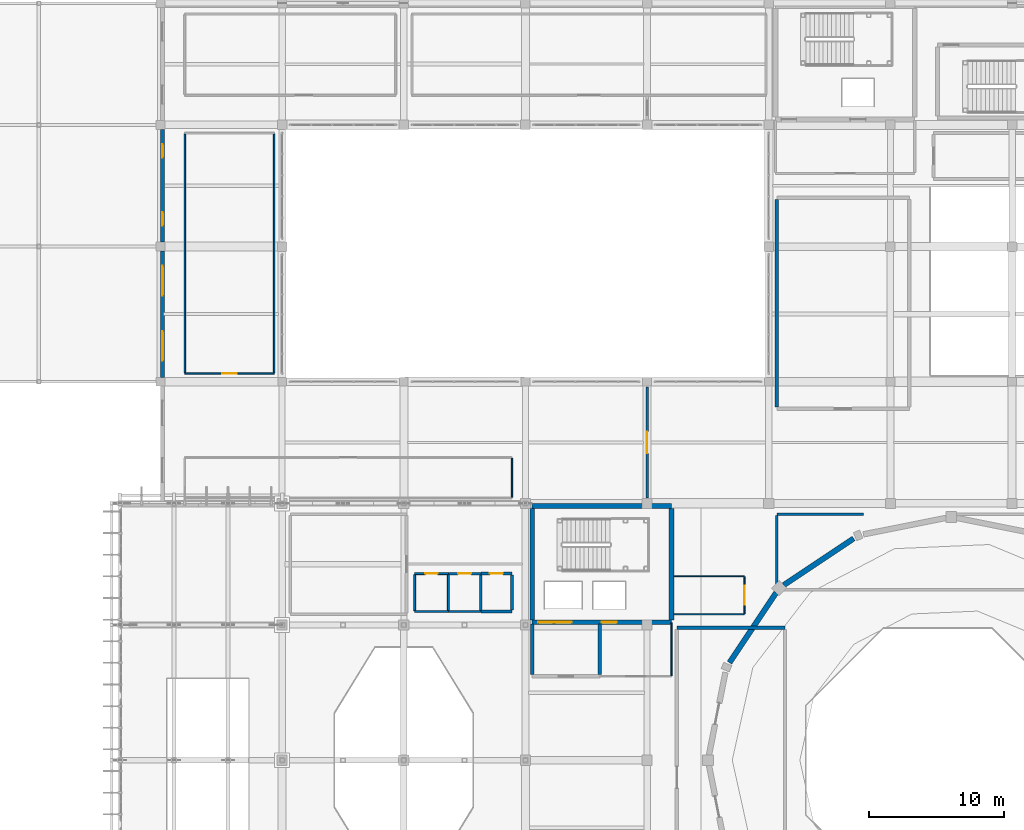
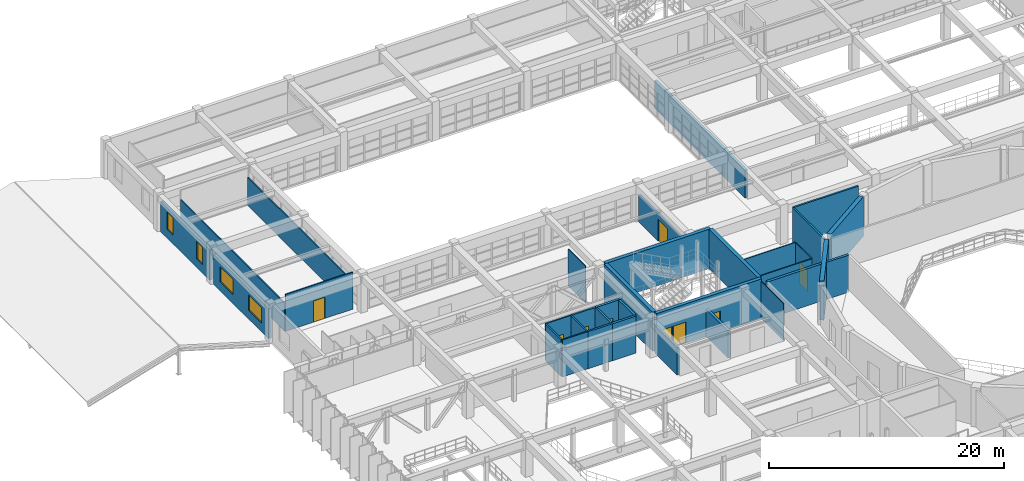
# One storey, part 113 of 130: 33 walls, 9 doors, 4 windows, 13 openings.
"""IFC4 building model written with IfcOpenShell, lengths in metres."""

from ifc_helpers import new_model, si_unit, direction, frame, frame_2d, origin, place, context, subcontext, project, spatial, rectangle, extrude, material, layer, layer_set, type_object, element, fill, save


model = new_model("IFC4")

# Units and contexts
model_context = context("Model", 3, precision=1e-05, world=origin(), true_north=direction((0.0, 1.0)))
body_context = subcontext(model_context, "Body", "Model", "MODEL_VIEW")
ifc_project = project(units=[si_unit("LENGTHUNIT", "METRE"), si_unit("AREAUNIT", "SQUARE_METRE"), si_unit("VOLUMEUNIT", "CUBIC_METRE"), si_unit("PLANEANGLEUNIT", "RADIAN"), si_unit("MASSUNIT", "GRAM", prefix="KILO")], contexts=[model_context])

# Site, building, storey
site_placement = place(None, origin())
site = spatial("IfcSite", under=ifc_project, at=site_placement, CompositionType="ELEMENT")
building_placement = place(site_placement, origin())
building = spatial("IfcBuilding", under=site, at=building_placement, Name="Miravela Opera House", CompositionType="ELEMENT")
storey_placement = place(building_placement, frame((0.0, 0.0, 9.52001953125)))
storey = spatial("IfcBuildingStorey", under=building, at=storey_placement, Name="L02", CompositionType="ELEMENT", Elevation=9.52001953125)

# Wall, openings, windows
ifc_material_1 = material(Name="Insulated cream lime-stuccoed masonry", Category="masonry")
ifc_layer_1 = layer(ifc_material_1, 0.2900390625)
ifc_layer_set_1 = layer_set([ifc_layer_1])
wall_type_1 = type_object("IfcWallType", Name="ARC-EW-STUCCO-290", PredefinedType="STANDARD", material=ifc_layer_set_1)
wall_1_placement = place(storey_placement, frame((18.14990234375, 84.324951171875, 0.0), z_axis=(0.0, 0.0, 1.0), x_axis=(0.0, 1.0, 0.0)))
wall_1 = element("IfcWall", 1, at=wall_1_placement, inside=storey, type_object=wall_type_1, Name="Spanish Colonial Stucco Facade Wall L02-027", PredefinedType="STANDARD", context=body_context, shape_type="SweptSolid", body=[
    extrude(rectangle(XDim=9.35009765625, YDim=0.2900390625, at=frame_2d((4.675048828125, 0.0))), origin(), (0.0, 0.0, 1.0), 3.119873046875),
])
opening_1_placement = place(wall_1_placement, frame((1.22509765625, 0.0, 0.89990234375)))
opening_1 = element("IfcOpeningElement", 2, at=opening_1_placement, cuts=wall_1, Name="Opening W-14", PredefinedType="OPENING", context=body_context, shape_type="SweptSolid", body=[
    extrude(rectangle(XDim=2.199951171875, YDim=1.60009765625, at=frame_2d((1.10009765625, 0.800048828125))), frame((0.0, 0.155029296875, 0.0), z_axis=(0.0, -1.0, 0.0), x_axis=(1.0, 0.0, 0.0)), (0.0, 0.0, 1.0), 0.31005859375),
])
opening_2_placement = place(wall_1_placement, frame((6.050048828125, 0.0, 0.89990234375)))
opening_2 = element("IfcOpeningElement", 3, at=opening_2_placement, cuts=wall_1, Name="Opening W-14", PredefinedType="OPENING", context=body_context, shape_type="SweptSolid", body=[
    extrude(rectangle(XDim=2.199951171875, YDim=1.60009765625, at=frame_2d((1.10009765625, 0.800048828125))), frame((0.0, 0.155029296875, 0.0), z_axis=(0.0, -1.0, 0.0), x_axis=(1.0, 0.0, 0.0)), (0.0, 0.0, 1.0), 0.31005859375),
])
ifc_material_2 = material(Name="Bronze-anodised aluminium and acoustic low-E glass", Category="aluminium")
window_type_1 = type_object("IfcWindowType", Name="ARC-WIN-14", PartitioningType="DOUBLE_PANEL_VERTICAL", PredefinedType="WINDOW", material=ifc_material_2)
window_1_placement = place(opening_1_placement, origin())
window_1 = element("IfcWindow", 4, at=window_1_placement, inside=storey, type_object=window_type_1, Name="Window W-14 #077", OverallHeight=1.60009765625, OverallWidth=2.199951171875, PartitioningType="DOUBLE_PANEL_VERTICAL", PredefinedType="WINDOW", context=body_context, shape_type="SweptSolid", body=[
    extrude(rectangle(XDim=2.199951171875, YDim=1.60009765625, at=frame_2d((1.10009765625, 0.800048828125))), frame((0.0, 0.030029296875, 0.0), z_axis=(0.0, -1.0, 0.0), x_axis=(1.0, 0.0, 0.0)), (0.0, 0.0, 1.0), 0.06005859375),
])
fill(opening_1, window_1)
window_2_placement = place(opening_2_placement, origin())
window_2 = element("IfcWindow", 5, at=window_2_placement, inside=storey, type_object=window_type_1, Name="Window W-14 #078", OverallHeight=1.60009765625, OverallWidth=2.199951171875, PartitioningType="DOUBLE_PANEL_VERTICAL", PredefinedType="WINDOW", context=body_context, shape_type="SweptSolid", body=[
    extrude(rectangle(XDim=2.199951171875, YDim=1.60009765625, at=frame_2d((1.10009765625, 0.800048828125))), frame((0.0, 0.030029296875, 0.0), z_axis=(0.0, -1.0, 0.0), x_axis=(1.0, 0.0, 0.0)), (0.0, 0.0, 1.0), 0.06005859375),
])
fill(opening_2, window_2)

wall_2_placement = place(storey_placement, frame((18.14990234375, 94.324951171875, 0.0), z_axis=(0.0, 0.0, 1.0), x_axis=(0.0, 1.0, 0.0)))
wall_2 = element("IfcWall", 6, at=wall_2_placement, inside=storey, type_object=wall_type_1, Name="Spanish Colonial Stucco Facade Wall L02-028", PredefinedType="STANDARD", context=body_context, shape_type="SweptSolid", body=[
    extrude(rectangle(XDim=8.35009765625, YDim=0.2900390625, at=frame_2d((4.175048828125, 0.0))), origin(), (0.0, 0.0, 1.0), 3.139892578125),
])
opening_3_placement = place(wall_2_placement, frame((1.22509765625, 0.0, 0.89990234375)))
opening_3 = element("IfcOpeningElement", 7, at=opening_3_placement, cuts=wall_2, Name="Opening W-15", PredefinedType="OPENING", context=body_context, shape_type="SweptSolid", body=[
    extrude(rectangle(XDim=1.0, YDim=1.800048828125, at=frame_2d((0.5, 0.89990234375))), frame((0.0, 0.155029296875, 0.0), z_axis=(0.0, -1.0, 0.0), x_axis=(1.0, 0.0, 0.0)), (0.0, 0.0, 1.0), 0.31005859375),
])
opening_4_placement = place(wall_2_placement, frame((6.25, 0.0, 0.89990234375)))
opening_4 = element("IfcOpeningElement", 8, at=opening_4_placement, cuts=wall_2, Name="Opening W-15", PredefinedType="OPENING", context=body_context, shape_type="SweptSolid", body=[
    extrude(rectangle(XDim=1.0, YDim=1.800048828125, at=frame_2d((0.5, 0.89990234375))), frame((0.0, 0.155029296875, 0.0), z_axis=(0.0, -1.0, 0.0), x_axis=(1.0, 0.0, 0.0)), (0.0, 0.0, 1.0), 0.31005859375),
])
window_type_2 = type_object("IfcWindowType", Name="ARC-WIN-15", PartitioningType="SINGLE_PANEL", PredefinedType="WINDOW", material=ifc_material_2)
window_3_placement = place(opening_3_placement, origin())
window_3 = element("IfcWindow", 9, at=window_3_placement, inside=storey, type_object=window_type_2, Name="Window W-15 #079", OverallHeight=1.800048828125, OverallWidth=1.0, PartitioningType="SINGLE_PANEL", PredefinedType="WINDOW", context=body_context, shape_type="SweptSolid", body=[
    extrude(rectangle(XDim=1.0, YDim=1.800048828125, at=frame_2d((0.5, 0.89990234375))), frame((0.0, 0.030029296875, 0.0), z_axis=(0.0, -1.0, 0.0), x_axis=(1.0, 0.0, 0.0)), (0.0, 0.0, 1.0), 0.06005859375),
])
fill(opening_3, window_3)
window_4_placement = place(opening_4_placement, origin())
window_4 = element("IfcWindow", 10, at=window_4_placement, inside=storey, type_object=window_type_2, Name="Window W-15 #080", OverallHeight=1.800048828125, OverallWidth=1.0, PartitioningType="SINGLE_PANEL", PredefinedType="WINDOW", context=body_context, shape_type="SweptSolid", body=[
    extrude(rectangle(XDim=1.0, YDim=1.800048828125, at=frame_2d((0.5, 0.89990234375))), frame((0.0, 0.030029296875, 0.0), z_axis=(0.0, -1.0, 0.0), x_axis=(1.0, 0.0, 0.0)), (0.0, 0.0, 1.0), 0.06005859375),
])
fill(opening_4, window_4)

# Wall
ifc_material_3 = material(Name="Sanitary chase acoustic plumbing wall")
ifc_layer_2 = layer(ifc_material_3, 0.139892578125)
ifc_layer_set_2 = layer_set([ifc_layer_2])
wall_type_2 = type_object("IfcWallType", Name="ARC-PLW-150", PredefinedType="PLUMBINGWALL", material=ifc_layer_set_2)
wall_3_placement = place(storey_placement, frame((36.800048828125, 67.0, 0.0), z_axis=(0.0, 0.0, 1.0), x_axis=(1.0, 0.0, 0.0)))
element("IfcWall", 11, at=wall_3_placement, inside=storey, type_object=wall_type_2, Name="Accessible WC L02 Partition South", PredefinedType="PLUMBINGWALL", context=body_context, shape_type="SweptSolid", body=[
    extrude(rectangle(XDim=2.5, YDim=0.139892578125, at=frame_2d((1.25, 0.0))), origin(), (0.0, 0.0, 1.0), 3.840087890625),
])

# Wall, opening, door
wall_4_placement = place(storey_placement, frame((36.800048828125, 69.800048828125, 0.0), z_axis=(0.0, 0.0, 1.0), x_axis=(1.0, 0.0, 0.0)))
wall_4 = element("IfcWall", 12, at=wall_4_placement, inside=storey, type_object=wall_type_2, Name="Accessible WC L02 Partition North", PredefinedType="PLUMBINGWALL", context=body_context, shape_type="SweptSolid", body=[
    extrude(rectangle(XDim=2.5, YDim=0.139892578125, at=frame_2d((1.25, 0.0))), origin(), (0.0, 0.0, 1.0), 3.840087890625),
])
opening_5_placement = place(wall_4_placement, frame((0.77490234375, 0.0, 0.0)))
opening_5 = element("IfcOpeningElement", 13, at=opening_5_placement, cuts=wall_4, Name="Opening ID-01", PredefinedType="OPENING", context=body_context, shape_type="SweptSolid", body=[
    extrude(rectangle(XDim=0.949951171875, YDim=2.14990234375, at=frame_2d((0.47509765625, 1.074951171875))), frame((0.0, 0.079833984375, 0.0), z_axis=(0.0, -1.0, 0.0), x_axis=(1.0, 0.0, 0.0)), (0.0, 0.0, 1.0), 0.159912109375),
])
ifc_material_4 = material(Name="Solid mahogany acoustic room door")
door_type_1 = type_object("IfcDoorType", Name="ARC-DR-950X2150", OperationType="NOTDEFINED", PredefinedType="DOOR", material=ifc_material_4)
door_1_placement = place(opening_5_placement, origin())
door_1 = element("IfcDoor", 14, at=door_1_placement, inside=storey, type_object=door_type_1, Name="Accessible WC L02 Entry Door IDR-L02-0221", OperationType="SINGLE_SWING_LEFT", OverallHeight=2.14990234375, OverallWidth=0.949951171875, PredefinedType="DOOR", context=body_context, shape_type="SweptSolid", body=[
    extrude(rectangle(XDim=0.949951171875, YDim=2.14990234375, at=frame_2d((0.47509765625, 1.074951171875))), frame((0.0, 0.02490234375, 0.0), z_axis=(0.0, -1.0, 0.0), x_axis=(1.0, 0.0, 0.0)), (0.0, 0.0, 1.0), 0.050048828125),
])
fill(opening_5, door_1)

# Walls
for number, where, z_axis, x_axis, name in (
    (15, (36.800048828125, 67.070068359375, 0.0), (0.0, 0.0, 1.0), (0.0, 1.0, 0.0), "Accessible WC L02 Partition West"),
    (16, (39.300048828125, 67.070068359375, 0.0), (0.0, 0.0, 1.0), (0.0, 1.0, 0.0), "Accessible WC L02 Partition East"),
):
    element("IfcWall", number, at=place(storey_placement, frame(where, z_axis=z_axis, x_axis=x_axis)), inside=storey, type_object=wall_type_2, Name=name, PredefinedType="PLUMBINGWALL", context=body_context, shape_type="SweptSolid", body=[
        extrude(rectangle(XDim=2.659912109375, YDim=0.139892578125, at=frame_2d((1.330078125, 0.0))), origin(), (0.0, 0.0, 1.0), 3.840087890625),
    ])
ifc_material_5 = material(Name="Public washroom wet-service chase wall")
ifc_layer_3 = layer(ifc_material_5, 0.179931640625)
ifc_layer_set_3 = layer_set([ifc_layer_3])
wall_type_3 = type_object("IfcWallType", Name="ARC-PLW-180", PredefinedType="PLUMBINGWALL", material=ifc_layer_set_3)
wall_5_placement = place(storey_placement, frame((39.300048828125, 67.0, 0.0), z_axis=(0.0, 0.0, 1.0), x_axis=(1.0, 0.0, 0.0)))
element("IfcWall", 17, at=wall_5_placement, inside=storey, type_object=wall_type_3, Name="Female Public WC L02 Partition South", PredefinedType="PLUMBINGWALL", context=body_context, shape_type="SweptSolid", body=[
    extrude(rectangle(XDim=2.39990234375, YDim=0.179931640625, at=frame_2d((1.199951171875, 0.0))), origin(), (0.0, 0.0, 1.0), 3.840087890625),
])

# Wall, opening, door
wall_6_placement = place(storey_placement, frame((39.300048828125, 69.800048828125, 0.0), z_axis=(0.0, 0.0, 1.0), x_axis=(1.0, 0.0, 0.0)))
wall_6 = element("IfcWall", 18, at=wall_6_placement, inside=storey, type_object=wall_type_3, Name="Female Public WC L02 Partition North", PredefinedType="PLUMBINGWALL", context=body_context, shape_type="SweptSolid", body=[
    extrude(rectangle(XDim=2.39990234375, YDim=0.179931640625, at=frame_2d((1.199951171875, 0.0))), origin(), (0.0, 0.0, 1.0), 3.840087890625),
])
opening_6_placement = place(wall_6_placement, frame((0.72509765625, 0.0, 0.0)))
opening_6 = element("IfcOpeningElement", 19, at=opening_6_placement, cuts=wall_6, Name="Opening ID-01", PredefinedType="OPENING", context=body_context, shape_type="SweptSolid", body=[
    extrude(rectangle(XDim=0.949951171875, YDim=2.14990234375, at=frame_2d((0.47509765625, 1.074951171875))), frame((0.0, 0.099853515625, 0.0), z_axis=(0.0, -1.0, 0.0), x_axis=(1.0, 0.0, 0.0)), (0.0, 0.0, 1.0), 0.199951171875),
])
door_2_placement = place(opening_6_placement, origin())
door_2 = element("IfcDoor", 20, at=door_2_placement, inside=storey, type_object=door_type_1, Name="Female Public WC L02 Entry Door IDR-L02-0222", OperationType="SINGLE_SWING_RIGHT", OverallHeight=2.14990234375, OverallWidth=0.949951171875, PredefinedType="DOOR", context=body_context, shape_type="SweptSolid", body=[
    extrude(rectangle(XDim=0.949951171875, YDim=2.14990234375, at=frame_2d((0.47509765625, 1.074951171875))), frame((0.0, 0.02490234375, 0.0), z_axis=(0.0, -1.0, 0.0), x_axis=(1.0, 0.0, 0.0)), (0.0, 0.0, 1.0), 0.050048828125),
])
fill(opening_6, door_2)

# Walls
wall_7_placement = place(storey_placement, frame((41.699951171875, 67.090087890625, 0.0), z_axis=(0.0, 0.0, 1.0), x_axis=(0.0, 1.0, 0.0)))
element("IfcWall", 21, at=wall_7_placement, inside=storey, type_object=wall_type_3, Name="Female Public WC L02 Partition East", PredefinedType="PLUMBINGWALL", context=body_context, shape_type="SweptSolid", body=[
    extrude(rectangle(XDim=2.619873046875, YDim=0.179931640625, at=frame_2d((1.31005859375, 0.0))), origin(), (0.0, 0.0, 1.0), 3.840087890625),
])
ifc_material_6 = material(Name="Dressing suite sanitary chase wall")
ifc_layer_4 = layer(ifc_material_6, 0.219970703125)
ifc_layer_set_4 = layer_set([ifc_layer_4])
wall_type_4 = type_object("IfcWallType", Name="ARC-PLW-215", PredefinedType="PLUMBINGWALL", material=ifc_layer_set_4)
wall_8_placement = place(storey_placement, frame((41.699951171875, 67.0, 0.0), z_axis=(0.0, 0.0, 1.0), x_axis=(1.0, 0.0, 0.0)))
element("IfcWall", 22, at=wall_8_placement, inside=storey, type_object=wall_type_4, Name="Male Public WC L02 Partition South", PredefinedType="PLUMBINGWALL", context=body_context, shape_type="SweptSolid", body=[
    extrude(rectangle(XDim=2.300048828125, YDim=0.219970703125, at=frame_2d((1.14990234375, 0.0))), origin(), (0.0, 0.0, 1.0), 3.840087890625),
])

# Wall, opening, door
wall_9_placement = place(storey_placement, frame((41.699951171875, 69.800048828125, 0.0), z_axis=(0.0, 0.0, 1.0), x_axis=(1.0, 0.0, 0.0)))
wall_9 = element("IfcWall", 23, at=wall_9_placement, inside=storey, type_object=wall_type_4, Name="Male Public WC L02 Partition North", PredefinedType="PLUMBINGWALL", context=body_context, shape_type="SweptSolid", body=[
    extrude(rectangle(XDim=2.300048828125, YDim=0.219970703125, at=frame_2d((1.14990234375, 0.0))), origin(), (0.0, 0.0, 1.0), 3.840087890625),
])
opening_7_placement = place(wall_9_placement, frame((0.675048828125, 0.0, 0.0)))
opening_7 = element("IfcOpeningElement", 24, at=opening_7_placement, cuts=wall_9, Name="Opening ID-01", PredefinedType="OPENING", context=body_context, shape_type="SweptSolid", body=[
    extrude(rectangle(XDim=0.949951171875, YDim=2.14990234375, at=frame_2d((0.47509765625, 1.074951171875))), frame((0.0, 0.119873046875, 0.0), z_axis=(0.0, -1.0, 0.0), x_axis=(1.0, 0.0, 0.0)), (0.0, 0.0, 1.0), 0.239990234375),
])
door_3_placement = place(opening_7_placement, origin())
door_3 = element("IfcDoor", 25, at=door_3_placement, inside=storey, type_object=door_type_1, Name="Male Public WC L02 Entry Door IDR-L02-0223", OperationType="SINGLE_SWING_LEFT", OverallHeight=2.14990234375, OverallWidth=0.949951171875, PredefinedType="DOOR", context=body_context, shape_type="SweptSolid", body=[
    extrude(rectangle(XDim=0.949951171875, YDim=2.14990234375, at=frame_2d((0.47509765625, 1.074951171875))), frame((0.0, 0.02490234375, 0.0), z_axis=(0.0, -1.0, 0.0), x_axis=(1.0, 0.0, 0.0)), (0.0, 0.0, 1.0), 0.050048828125),
])
fill(opening_7, door_3)

# Walls
wall_10_placement = place(storey_placement, frame((44.0, 67.110107421875, 0.0), z_axis=(0.0, 0.0, 1.0), x_axis=(0.0, 1.0, 0.0)))
element("IfcWall", 26, at=wall_10_placement, inside=storey, type_object=wall_type_4, Name="Male Public WC L02 Partition East", PredefinedType="PLUMBINGWALL", context=body_context, shape_type="SweptSolid", body=[
    extrude(rectangle(XDim=2.579833984375, YDim=0.219970703125, at=frame_2d((1.2900390625, 0.0))), origin(), (0.0, 0.0, 1.0), 3.840087890625),
])
ifc_material_7 = material(Name="Acoustic metal-stud gypsum partition")
ifc_layer_5 = layer(ifc_material_7, 0.090087890625)
ifc_layer_set_5 = layer_set([ifc_layer_5])
wall_type_5 = type_object("IfcWallType", Name="ARC-PT-090", PredefinedType="PARTITIONING", material=ifc_layer_set_5)
wall_11_placement = place(storey_placement, frame((55.800048828125, 62.2451171875, 0.0), z_axis=(0.0, 0.0, 1.0), x_axis=(0.0, 1.0, 0.0)))
element("IfcWall", 27, at=wall_11_placement, inside=storey, type_object=wall_type_5, Name="Passenger Lift Lobby K1 L02 Partition East", PredefinedType="PARTITIONING", context=body_context, shape_type="SweptSolid", body=[
    extrude(rectangle(XDim=3.909912109375, YDim=0.090087890625, at=frame_2d((1.955078125, 0.0))), origin(), (0.0, 0.0, 1.0), 3.840087890625),
])
for number, where, z_axis, x_axis, name in (
    (28, (55.97509765625, 66.800048828125, 0.0), (0.0, 0.0, 1.0), (1.0, 0.0, 0.0), "Auditorium Balcony Vomitory L02 North Partition South"),
    (29, (55.97509765625, 69.60009765625, 0.0), (0.0, 0.0, 1.0), (1.0, 0.0, 0.0), "Auditorium Balcony Vomitory L02 North Partition North"),
):
    element("IfcWall", number, at=place(storey_placement, frame(where, z_axis=z_axis, x_axis=x_axis)), inside=storey, type_object=wall_type_5, Name=name, PredefinedType="PARTITIONING", context=body_context, shape_type="SweptSolid", body=[
        extrude(rectangle(XDim=5.224853515625, YDim=0.090087890625, at=frame_2d((2.6123046875, 0.0))), origin(), (0.0, 0.0, 1.0), 3.840087890625),
    ])

# Wall, opening, door
wall_12_placement = place(storey_placement, frame((61.199951171875, 66.844970703125, 0.0), z_axis=(0.0, 0.0, 1.0), x_axis=(0.0, 1.0, 0.0)))
wall_12 = element("IfcWall", 30, at=wall_12_placement, inside=storey, type_object=wall_type_5, Name="Auditorium Balcony Vomitory L02 North Partition East", PredefinedType="PARTITIONING", context=body_context, shape_type="SweptSolid", body=[
    extrude(rectangle(XDim=2.7099609375, YDim=0.090087890625, at=frame_2d((1.35498046875, 0.0))), origin(), (0.0, 0.0, 1.0), 3.840087890625),
])
opening_8_placement = place(wall_12_placement, frame((0.655029296875, 0.0, 0.0)))
opening_8 = element("IfcOpeningElement", 31, at=opening_8_placement, cuts=wall_12, Name="Opening FD-03", PredefinedType="OPENING", context=body_context, shape_type="SweptSolid", body=[
    extrude(rectangle(XDim=1.39990234375, YDim=2.199951171875, at=frame_2d((0.699951171875, 1.10009765625))), frame((0.0, 0.054931640625, 0.0), z_axis=(0.0, -1.0, 0.0), x_axis=(1.0, 0.0, 0.0)), (0.0, 0.0, 1.0), 0.110107421875),
])
ifc_material_8 = material(Name="Fire-rated lobby/archive double door")
door_type_2 = type_object("IfcDoorType", Name="ARC-FD-1400X2200", OperationType="NOTDEFINED", PredefinedType="DOOR", material=ifc_material_8)
door_4_placement = place(opening_8_placement, frame((1.39990234375, 0.0, 0.0), z_axis=(0.0, 0.0, 1.0), x_axis=(-1.0, 0.0, 0.0)))
door_4 = element("IfcDoor", 32, at=door_4_placement, inside=storey, type_object=door_type_2, Name="Auditorium Balcony Vomitory L02 North Entry Door IDR-L02-0224", OperationType="DOUBLE_DOOR_SINGLE_SWING", OverallHeight=2.199951171875, OverallWidth=1.39990234375, PredefinedType="DOOR", context=body_context, shape_type="SweptSolid", body=[
    extrude(rectangle(XDim=1.39990234375, YDim=2.199951171875, at=frame_2d((0.699951171875, 1.10009765625))), frame((0.0, 0.02490234375, 0.0), z_axis=(0.0, -1.0, 0.0), x_axis=(1.0, 0.0, 0.0)), (0.0, 0.0, 1.0), 0.050048828125),
])
fill(opening_8, door_4)

# Wall
wall_13_placement = place(storey_placement, frame((44.0, 75.445068359375, 0.0), z_axis=(0.0, 0.0, 1.0), x_axis=(0.0, 1.0, 0.0)))
element("IfcWall", 33, at=wall_13_placement, inside=storey, type_object=wall_type_5, Name="Repetiteur Coaching Studio Suite Partition East", PredefinedType="PARTITIONING", context=body_context, shape_type="SweptSolid", body=[
    extrude(rectangle(XDim=2.909912109375, YDim=0.090087890625, at=frame_2d((1.455078125, 0.0))), origin(), (0.0, 0.0, 1.0), 3.840087890625),
])

# Wall, opening, door
ifc_material_9 = material(Name="Double-layer acoustic gypsum partition")
ifc_layer_6 = layer(ifc_material_9, 0.110107421875)
ifc_layer_set_6 = layer_set([ifc_layer_6])
wall_type_6 = type_object("IfcWallType", Name="ARC-PT-110", PredefinedType="PARTITIONING", material=ifc_layer_set_6)
wall_14_placement = place(storey_placement, frame((19.800048828125, 84.60009765625, 0.0), z_axis=(0.0, 0.0, 1.0), x_axis=(1.0, 0.0, 0.0)))
wall_14 = element("IfcWall", 34, at=wall_14_placement, inside=storey, type_object=wall_type_6, Name="Harp and Keyboard Practice Studio Partition South", PredefinedType="PARTITIONING", context=body_context, shape_type="SweptSolid", body=[
    extrude(rectangle(XDim=6.599853515625, YDim=0.110107421875, at=frame_2d((3.2998046875, 0.0))), origin(), (0.0, 0.0, 1.0), 3.840087890625),
])
opening_9_placement = place(wall_14_placement, frame((2.75, 0.0, 0.0)))
opening_9 = element("IfcOpeningElement", 35, at=opening_9_placement, cuts=wall_14, Name="Opening ID-03", PredefinedType="OPENING", context=body_context, shape_type="SweptSolid", body=[
    extrude(rectangle(XDim=1.10009765625, YDim=2.199951171875, at=frame_2d((0.550048828125, 1.10009765625))), frame((0.0, 0.06494140625, 0.0), z_axis=(0.0, -1.0, 0.0), x_axis=(1.0, 0.0, 0.0)), (0.0, 0.0, 1.0), 0.130126953125),
])
ifc_material_10 = material(Name="Acoustic hardwood studio door", Category="wood")
door_type_3 = type_object("IfcDoorType", Name="ARC-DR-1100X2200", OperationType="NOTDEFINED", PredefinedType="DOOR", material=ifc_material_10)
door_5_placement = place(opening_9_placement, origin())
door_5 = element("IfcDoor", 36, at=door_5_placement, inside=storey, type_object=door_type_3, Name="Harp and Keyboard Practice Studio Entry Door IDR-L02-0237", OperationType="SINGLE_SWING_LEFT", OverallHeight=2.199951171875, OverallWidth=1.10009765625, PredefinedType="DOOR", context=body_context, shape_type="SweptSolid", body=[
    extrude(rectangle(XDim=1.10009765625, YDim=2.199951171875, at=frame_2d((0.550048828125, 1.10009765625))), frame((0.0, 0.02490234375, 0.0), z_axis=(0.0, -1.0, 0.0), x_axis=(1.0, 0.0, 0.0)), (0.0, 0.0, 1.0), 0.050048828125),
])
fill(opening_9, door_5)

# Walls
for number, where, z_axis, x_axis, name in (
    (37, (19.800048828125, 84.655029296875, 0.0), (0.0, 0.0, 1.0), (0.0, 1.0, 0.0), "Harp and Keyboard Practice Studio Partition West"),
    (38, (26.39990234375, 84.655029296875, 0.0), (0.0, 0.0, 1.0), (0.0, 1.0, 0.0), "Harp and Keyboard Practice Studio Partition East"),
):
    element("IfcWall", number, at=place(storey_placement, frame(where, z_axis=z_axis, x_axis=x_axis)), inside=storey, type_object=wall_type_6, Name=name, PredefinedType="PARTITIONING", context=body_context, shape_type="SweptSolid", body=[
        extrude(rectangle(XDim=17.68994140625, YDim=0.110107421875, at=frame_2d((8.844970703125, 0.0))), origin(), (0.0, 0.0, 1.0), 2.919921875),
    ])
ifc_material_11 = material(Name="Rehearsal isolated acoustic partition")
ifc_layer_7 = layer(ifc_material_11, 0.169921875)
ifc_layer_set_7 = layer_set([ifc_layer_7])
wall_type_7 = type_object("IfcWallType", Name="ARC-PT-170", PredefinedType="PARTITIONING", material=ifc_layer_set_7)
wall_15_placement = place(storey_placement, frame((63.60009765625, 74.199951171875, 0.0), z_axis=(0.0, 0.0, 1.0), x_axis=(1.0, 0.0, 0.0)))
element("IfcWall", 39, at=wall_15_placement, inside=storey, type_object=wall_type_7, Name="Principal Musician Ensemble Dressing Rooms Partition North 1", PredefinedType="PARTITIONING", context=body_context, shape_type="SweptSolid", body=[
    extrude(rectangle(XDim=6.40380859375, YDim=0.169921875, at=frame_2d((3.201904296875, 0.0))), origin(), (0.0, 0.0, 1.0), 3.840087890625),
])
wall_16_placement = place(storey_placement, frame((63.60009765625, 68.68505859375, 0.0), z_axis=(0.0, 0.0, 1.0), x_axis=(0.0, 1.0, 0.0)))
element("IfcWall", 40, at=wall_16_placement, inside=storey, type_object=wall_type_7, Name="Principal Musician Ensemble Dressing Rooms Partition West", PredefinedType="PARTITIONING", context=body_context, shape_type="SweptSolid", body=[
    extrude(rectangle(XDim=5.429931640625, YDim=0.169921875, at=frame_2d((2.71484375, 0.0))), origin(), (0.0, 0.0, 1.0), 3.840087890625),
])

# Wall, opening, door
ifc_material_12 = material(Name="Corridor fire-resisting masonry partition", Category="masonry")
ifc_layer_8 = layer(ifc_material_12, 0.18994140625)
ifc_layer_set_8 = layer_set([ifc_layer_8])
wall_type_8 = type_object("IfcWallType", Name="ARC-PT-190", PredefinedType="PARTITIONING", material=ifc_layer_set_8)
wall_17_placement = place(storey_placement, frame((54.0, 75.39990234375, 0.0), z_axis=(0.0, 0.0, 1.0), x_axis=(0.0, 1.0, 0.0)))
wall_17 = element("IfcWall", 41, at=wall_17_placement, inside=storey, type_object=wall_type_8, Name="Corridor Fire Smoke Compartment Partition PT-SMOKE-L02-0964", PredefinedType="PARTITIONING", context=body_context, shape_type="SweptSolid", body=[
    extrude(rectangle(XDim=8.2001953125, YDim=0.18994140625, at=frame_2d((4.10009765625, 0.0))), origin(), (0.0, 0.0, 1.0), 2.820068359375),
])
opening_10_placement = place(wall_17_placement, frame((3.300048828125, 0.0, 0.0)))
opening_10 = element("IfcOpeningElement", 42, at=opening_10_placement, cuts=wall_17, Name="Opening FD-04", PredefinedType="OPENING", context=body_context, shape_type="SweptSolid", body=[
    extrude(rectangle(XDim=1.60009765625, YDim=2.25, at=frame_2d((0.800048828125, 1.125))), frame((0.0, 0.10498046875, 0.0), z_axis=(0.0, -1.0, 0.0), x_axis=(1.0, 0.0, 0.0)), (0.0, 0.0, 1.0), 0.2099609375),
])
ifc_material_13 = material(Name="Fire-rated rehearsal/vomitory double door")
door_type_4 = type_object("IfcDoorType", Name="ARC-FD-1600X2250", OperationType="NOTDEFINED", PredefinedType="DOOR", material=ifc_material_13)
door_6_placement = place(opening_10_placement, frame((1.60009765625, 0.0, 0.0), z_axis=(0.0, 0.0, 1.0), x_axis=(-1.0, 0.0, 0.0)))
door_6 = element("IfcDoor", 43, at=door_6_placement, inside=storey, type_object=door_type_4, Name="Corridor Smoke Compartment Door 08 IDR-L02-0354", OperationType="DOUBLE_DOOR_SINGLE_SWING", OverallHeight=2.25, OverallWidth=1.60009765625, PredefinedType="DOOR", context=body_context, shape_type="SweptSolid", body=[
    extrude(rectangle(XDim=1.60009765625, YDim=2.25, at=frame_2d((0.800048828125, 1.125))), frame((0.0, 0.02490234375, 0.0), z_axis=(0.0, -1.0, 0.0), x_axis=(1.0, 0.0, 0.0)), (0.0, 0.0, 1.0), 0.050048828125),
])
fill(opening_10, door_6)

# Walls
ifc_material_14 = material(Name="Firefighting lobby compartment wall")
ifc_layer_9 = layer(ifc_material_14, 0.25)
ifc_layer_set_9 = layer_set([ifc_layer_9])
wall_type_9 = type_object("IfcWallType", Name="ARC-PT-220", PredefinedType="PARTITIONING", material=ifc_layer_set_9)
for number, where, z_axis, x_axis, name in (
    (44, (45.5, 62.324951171875, 0.0), (0.0, 0.0, 1.0), (0.0, 1.0, 0.0), "Firefighting Lobby K1 L02 Partition West"),
    (45, (50.5, 62.324951171875, 0.0), (0.0, 0.0, 1.0), (0.0, 1.0, 0.0), "Firefighting Lobby K1 L02 Partition East"),
):
    element("IfcWall", number, at=place(storey_placement, frame(where, z_axis=z_axis, x_axis=x_axis)), inside=storey, type_object=wall_type_9, Name=name, PredefinedType="PARTITIONING", context=body_context, shape_type="SweptSolid", body=[
        extrude(rectangle(XDim=3.75, YDim=0.25, at=frame_2d((1.875, 0.0))), origin(), (0.0, 0.0, 1.0), 2.820068359375),
    ])
wall_18_placement = place(storey_placement, frame((56.199951171875, 65.800048828125, 0.0), z_axis=(0.0, 0.0, 1.0), x_axis=(1.0, 0.0, 0.0)))
element("IfcWall", 46, at=wall_18_placement, inside=storey, type_object=wall_type_9, Name="Opera Auditorium West Dress Circle Salon Partition North", PredefinedType="PARTITIONING", context=body_context, shape_type="SweptSolid", body=[
    extrude(rectangle(XDim=8.0, YDim=0.25, at=frame_2d((4.0, 0.0))), origin(), (0.0, 0.0, 1.0), 3.840087890625),
])
wall_19_placement = place(storey_placement, frame((63.60009765625, 82.125, 0.0), z_axis=(0.0, 0.0, 1.0), x_axis=(0.0, 1.0, 0.0)))
element("IfcWall", 47, at=wall_19_placement, inside=storey, type_object=wall_type_9, Name="Orchestral Brass and Percussion Studio Partition West", PredefinedType="PARTITIONING", context=body_context, shape_type="SweptSolid", body=[
    extrude(rectangle(XDim=15.35009765625, YDim=0.25, at=frame_2d((7.675048828125, 0.0))), origin(), (0.0, 0.0, 1.0), 2.919921875),
])

# Wall, openings, doors
ifc_material_15 = material(Name="Concrete C40/50", Category="concrete")
ifc_layer_10 = layer(ifc_material_15, 0.35009765625)
ifc_layer_set_10 = layer_set([ifc_layer_10])
wall_type_10 = type_object("IfcWallType", Name="STR-WALL-CORE-350", PredefinedType="SHEAR", material=ifc_layer_set_10)
wall_20_placement = place(storey_placement, frame((45.5, 66.199951171875, 0.0), z_axis=(0.0, 0.0, 1.0), x_axis=(1.0, 0.0, 0.0)))
wall_20 = element("IfcWall", 48, at=wall_20_placement, inside=storey, type_object=wall_type_10, Name="Core K1 Shear Wall South (L02)", PredefinedType="SHEAR", context=body_context, shape_type="SweptSolid", body=[
    extrude(rectangle(XDim=10.300048828125, YDim=0.35009765625, at=frame_2d((5.14990234375, 0.0))), origin(), (0.0, 0.0, 1.0), 4.080078125),
])
opening_11_placement = place(wall_20_placement, frame((0.449951171875, 0.0, 0.0)))
opening_11 = element("IfcOpeningElement", 49, at=opening_11_placement, cuts=wall_20, Name="Opening FD-01", PredefinedType="OPENING", context=body_context, shape_type="SweptSolid", body=[
    extrude(rectangle(XDim=1.10009765625, YDim=2.199951171875, at=frame_2d((0.550048828125, 1.10009765625))), frame((0.0, 0.18505859375, 0.0), z_axis=(0.0, -1.0, 0.0), x_axis=(1.0, 0.0, 0.0)), (0.0, 0.0, 1.0), 0.3701171875),
])
opening_12_placement = place(wall_20_placement, frame((1.68994140625, 0.0, 0.0)))
opening_12 = element("IfcOpeningElement", 50, at=opening_12_placement, cuts=wall_20, Name="Opening LD-01", PredefinedType="OPENING", context=body_context, shape_type="SweptSolid", body=[
    extrude(rectangle(XDim=1.219970703125, YDim=2.199951171875, at=frame_2d((0.60986328125, 1.10009765625))), frame((0.0, 0.18505859375, 0.0), z_axis=(0.0, -1.0, 0.0), x_axis=(1.0, 0.0, 0.0)), (0.0, 0.0, 1.0), 0.3701171875),
])
opening_13_placement = place(wall_20_placement, frame((5.139892578125, 0.0, 0.0)))
opening_13 = element("IfcOpeningElement", 51, at=opening_13_placement, cuts=wall_20, Name="Opening LD-02", PredefinedType="OPENING", context=body_context, shape_type="SweptSolid", body=[
    extrude(rectangle(XDim=1.1201171875, YDim=2.159912109375, at=frame_2d((0.56005859375, 1.080078125))), frame((0.0, 0.18505859375, 0.0), z_axis=(0.0, -1.0, 0.0), x_axis=(1.0, 0.0, 0.0)), (0.0, 0.0, 1.0), 0.3701171875),
])
ifc_material_16 = material(Name="Fire-rated steel/hardwood exit stair door", Category="steel")
door_type_5 = type_object("IfcDoorType", Name="ARC-FD-1100X2200", OperationType="NOTDEFINED", PredefinedType="DOOR", material=ifc_material_16)
door_7_placement = place(opening_11_placement, origin())
door_7 = element("IfcDoor", 52, at=door_7_placement, inside=storey, type_object=door_type_5, Name="Exit Stair ST-01 Rated Door (L02) IDR-L02-0004", OperationType="SINGLE_SWING_RIGHT", OverallHeight=2.199951171875, OverallWidth=1.10009765625, PredefinedType="DOOR", context=body_context, shape_type="SweptSolid", body=[
    extrude(rectangle(XDim=1.10009765625, YDim=2.199951171875, at=frame_2d((0.550048828125, 1.10009765625))), frame((0.0, 0.02490234375, 0.0), z_axis=(0.0, -1.0, 0.0), x_axis=(1.0, 0.0, 0.0)), (0.0, 0.0, 1.0), 0.050048828125),
])
fill(opening_11, door_7)
ifc_material_17 = material(Name="Brushed stainless and bronze fire-rated lift landing door")
door_type_6 = type_object("IfcDoorType", Name="ARC-LD-FFL-1200X2200", OperationType="SLIDING_TO_LEFT", PredefinedType="DOOR", material=ifc_material_17)
door_8_placement = place(opening_12_placement, origin())
door_8 = element("IfcDoor", 53, at=door_8_placement, inside=storey, type_object=door_type_6, Name="Lift Landing Door FFL-01 (L02)", OperationType="SLIDING_TO_LEFT", OverallHeight=2.199951171875, OverallWidth=1.219970703125, PredefinedType="DOOR", context=body_context, shape_type="SweptSolid", body=[
    extrude(rectangle(XDim=1.219970703125, YDim=2.199951171875, at=frame_2d((0.60986328125, 1.10009765625))), frame((0.0, 0.02490234375, 0.0), z_axis=(0.0, -1.0, 0.0), x_axis=(1.0, 0.0, 0.0)), (0.0, 0.0, 1.0), 0.050048828125),
])
fill(opening_12, door_8)
door_type_7 = type_object("IfcDoorType", Name="ARC-LD-PAX-1100X2150", OperationType="SLIDING_TO_LEFT", PredefinedType="DOOR", material=ifc_material_17)
door_9_placement = place(opening_13_placement, origin())
door_9 = element("IfcDoor", 54, at=door_9_placement, inside=storey, type_object=door_type_7, Name="Lift Landing Door PL-01 (L02)", OperationType="SLIDING_TO_LEFT", OverallHeight=2.159912109375, OverallWidth=1.1201171875, PredefinedType="DOOR", context=body_context, shape_type="SweptSolid", body=[
    extrude(rectangle(XDim=1.1201171875, YDim=2.159912109375, at=frame_2d((0.56005859375, 1.080078125))), frame((0.0, 0.02490234375, 0.0), z_axis=(0.0, -1.0, 0.0), x_axis=(1.0, 0.0, 0.0)), (0.0, 0.0, 1.0), 0.050048828125),
])
fill(opening_13, door_9)

# Walls
wall_21_placement = place(storey_placement, frame((45.5, 74.800048828125, 0.0), z_axis=(0.0, 0.0, 1.0), x_axis=(1.0, 0.0, 0.0)))
element("IfcWall", 55, at=wall_21_placement, inside=storey, type_object=wall_type_10, Name="Core K1 Shear Wall North (L02)", PredefinedType="SHEAR", context=body_context, shape_type="SweptSolid", body=[
    extrude(rectangle(XDim=10.300048828125, YDim=0.35009765625, at=frame_2d((5.14990234375, 0.0))), origin(), (0.0, 0.0, 1.0), 4.080078125),
])
for number, where, z_axis, x_axis, name in (
    (56, (45.5, 66.375, 0.0), (0.0, 0.0, 1.0), (0.0, 1.0, 0.0), "Core K1 Shear Wall West (L02)"),
    (57, (55.800048828125, 66.375, 0.0), (0.0, 0.0, 1.0), (0.0, 1.0, 0.0), "Core K1 Shear Wall East (L02)"),
):
    element("IfcWall", number, at=place(storey_placement, frame(where, z_axis=z_axis, x_axis=x_axis)), inside=storey, type_object=wall_type_10, Name=name, PredefinedType="SHEAR", context=body_context, shape_type="SweptSolid", body=[
        extrude(rectangle(XDim=8.25, YDim=0.35009765625, at=frame_2d((4.125, 0.0))), origin(), (0.0, 0.0, 1.0), 4.080078125),
    ])
ifc_layer_11 = layer(ifc_material_15, 0.39990234375)
ifc_layer_set_11 = layer_set([ifc_layer_11])
wall_type_11 = type_object("IfcWallType", Name="STR-WALL-DRUM-400", PredefinedType="SHEAR", material=ifc_layer_set_11)
for number, where, z_axis, x_axis, name in (
    (58, (69.279052734375, 72.40771484375, 0.0), (0.0, 0.0, 1.0), (-0.831458341015, -0.555587101324, 0.0), "Auditorium Drum Shear Wall L02 Seg 6"),
    (59, (63.5498046875, 68.395263671875, 0.0), (0.0, 0.0, 1.0), (-0.555587101324, -0.831458341015, 0.0), "Auditorium Drum Shear Wall L02 Seg 7"),
):
    element("IfcWall", number, at=place(storey_placement, frame(where, z_axis=z_axis, x_axis=x_axis)), inside=storey, type_object=wall_type_11, Name=name, PredefinedType="SHEAR", context=body_context, shape_type="SweptSolid", body=[
        extrude(rectangle(XDim=6.22314453125, YDim=0.39990234375, at=frame_2d((3.111572265625, 0.0))), origin(), (0.0, 0.0, 1.0), 4.080078125),
    ])

save(model, "model.ifc")
